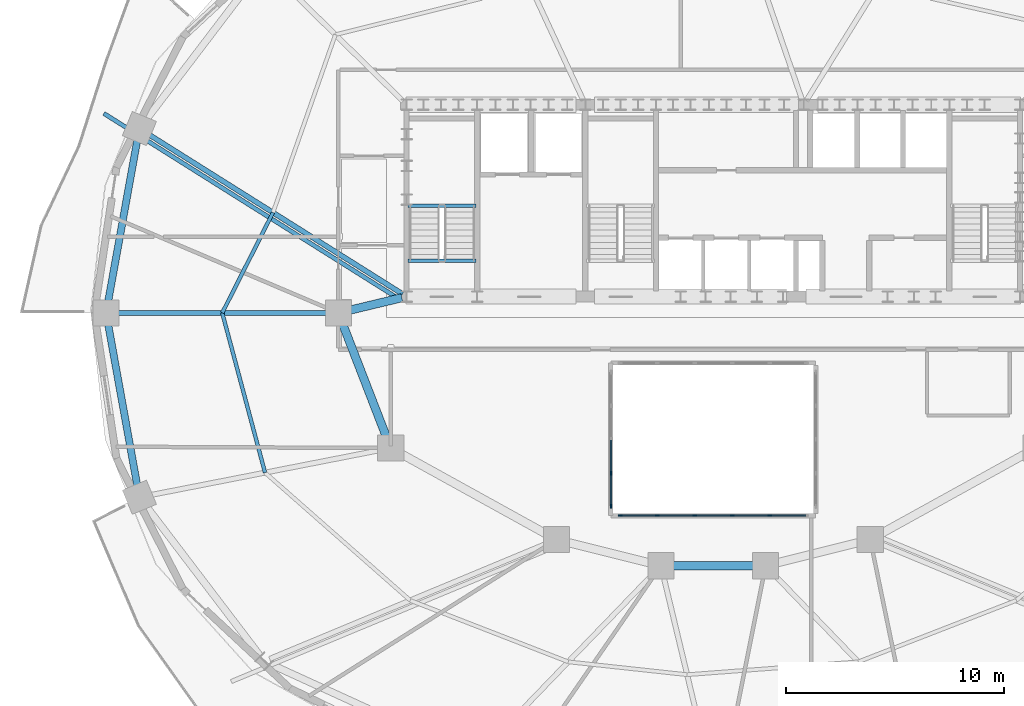
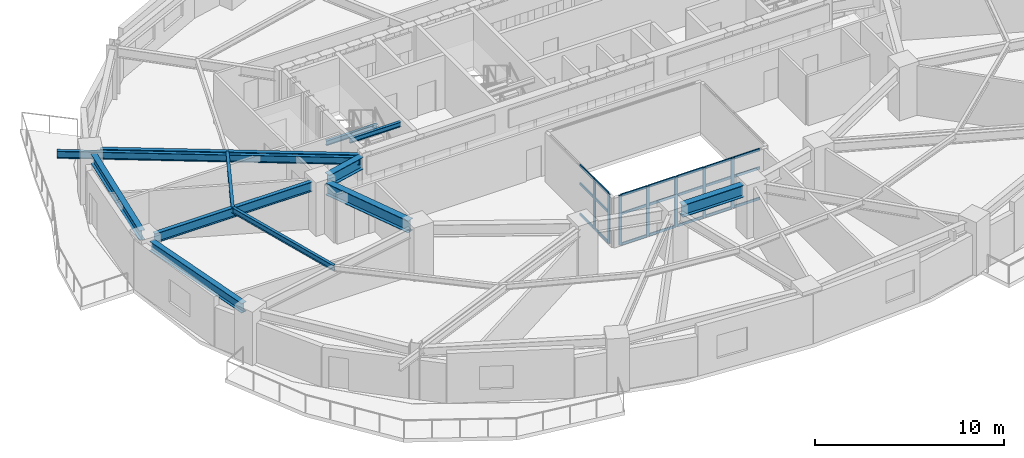
# One storey, part 2 of 12: 28 members, 12 beams, 2 elements without a shape of their own.
"""IFC4 building model written with IfcOpenShell, lengths in metres."""

import ifcopenshell
import ifcopenshell.guid

model = None  # the IFC model being written
_history = None  # IfcOwnerHistory: only IFC2X3 demands one
_inside = {}  # id of a spatial element -> (the spatial element, [elements in it])
_under = {}  # id of a project, library or spatial element -> (it, [spatial elements below it])
_declared = {}  # id of a project -> (the project, [libraries it declares])
_typed = {}  # id of a type object -> (the type object, [elements of that type])
_made_of = {}  # id of a material, layer set ... -> (it, [elements and type objects made of it])


def new_model(schema):
    """Start an empty IFC model of exactly this schema.

    Asked for "IFC4X3", IfcOpenShell would pick the latest addendum, in which some entities
    have other attributes; the version numbers below select the first issue.
    IFC2X3 requires an IfcOwnerHistory on every rooted entity: one is made here for all.
    """
    global model, _history
    if schema == "IFC4X3":
        model = ifcopenshell.file(schema_version=(4, 3, 0, 0))
    else:
        model = ifcopenshell.file(schema=schema)
    _inside.clear()
    _under.clear()
    _declared.clear()
    _typed.clear()
    _made_of.clear()
    _history = None
    if model.schema == "IFC2X3":
        org = make("IfcOrganization", Name="unknown")
        user = make(
            "IfcPersonAndOrganization",
            ThePerson=make("IfcPerson", FamilyName="unknown"),
            TheOrganization=org,
        )
        app = make(
            "IfcApplication",
            ApplicationDeveloper=org,
            Version="unknown",
            ApplicationFullName="unknown",
            ApplicationIdentifier="unknown",
        )
        _history = make(
            "IfcOwnerHistory",
            OwningUser=user,
            OwningApplication=app,
            ChangeAction="ADDED",
            CreationDate=0,
        )
    return model


def make(cls, **values):
    """One entity of the class cls with the attributes given. An attribute that is None is left unset."""
    return model.create_entity(
        cls, **{name: value for name, value in values.items() if value is not None}
    )


def rooted(cls, **values):
    """An entity with a GlobalId (a new one), such as an element, a storey or a relation."""
    return make(cls, GlobalId=ifcopenshell.guid.new(), OwnerHistory=_history, **values)


def si_unit(unit_type, name, prefix=None):
    """IfcSIUnit, for example si_unit("LENGTHUNIT", "METRE", prefix="MILLI")."""
    return make("IfcSIUnit", UnitType=unit_type, Prefix=prefix, Name=name)


def assignment(units):
    """IfcUnitAssignment: the units of a project."""
    return None if units is None else make("IfcUnitAssignment", Units=units)


def point(xyz):
    """IfcCartesianPoint."""
    return None if xyz is None else make("IfcCartesianPoint", Coordinates=xyz)


def direction(xyz):
    """IfcDirection."""
    return None if xyz is None else make("IfcDirection", DirectionRatios=xyz)


def frame(location, z_axis=None, x_axis=None):
    """IfcAxis2Placement3D, a coordinate frame: its origin and axes. An axis left out is left unset."""
    return make(
        "IfcAxis2Placement3D",
        Location=point(location),
        Axis=direction(z_axis),
        RefDirection=direction(x_axis),
    )


def frame_2d(location, x_axis=None):
    """IfcAxis2Placement2D, a coordinate frame in the plane: its origin and x axis."""
    return make(
        "IfcAxis2Placement2D", Location=point(location), RefDirection=direction(x_axis)
    )


def origin():
    """The frame at (0, 0, 0) with its axes left unset."""
    return frame((0.0, 0.0, 0.0))


def origin_2d():
    """The frame at (0, 0) in the plane with its x axis left unset."""
    return frame_2d((0.0, 0.0))


def place(relative_to, where):
    """IfcLocalPlacement: puts the frame where relative to a parent placement (None: the world)."""
    return make(
        "IfcLocalPlacement", PlacementRelTo=relative_to, RelativePlacement=where
    )


def context(
    kind, dimensions, precision=None, world=None, true_north=None, identifier=None
):
    """IfcGeometricRepresentationContext, for example the 3D "Model" context."""
    return make(
        "IfcGeometricRepresentationContext",
        ContextIdentifier=identifier,
        ContextType=kind,
        CoordinateSpaceDimension=dimensions,
        Precision=precision,
        WorldCoordinateSystem=world,
        TrueNorth=true_north,
    )


def subcontext(parent, identifier, kind, view, scale=None):
    """IfcGeometricRepresentationSubContext, for example "Body" below "Model"."""
    return make(
        "IfcGeometricRepresentationSubContext",
        ContextIdentifier=identifier,
        ContextType=kind,
        ParentContext=parent,
        TargetScale=scale,
        TargetView=view,
    )


def project(units=None, contexts=None):
    """IfcProject with its units and contexts."""
    return rooted(
        "IfcProject",
        Name="project",
        RepresentationContexts=contexts,
        UnitsInContext=assignment(units),
    )


def spatial(cls, under=None, at=None, **own):
    """A site, building, storey or space (cls), placed at a placement, below another one or the project."""
    s = rooted(cls, ObjectPlacement=at, **own)
    if under is not None:
        _under.setdefault(under.id(), (under, []))[1].append(s)
    return s


def profile(cls, at=None, kind="AREA", **sizes):
    """A parametric profile (cls). Its sizes go by their IFC names, for example OverallWidth=200.0."""
    return make(cls, ProfileType=kind, Position=at, **sizes)


def rectangle(**sizes):
    """IfcRectangleProfileDef."""
    return profile("IfcRectangleProfileDef", **sizes)


def i_section(**sizes):
    """IfcIShapeProfileDef."""
    return profile("IfcIShapeProfileDef", **sizes)


def extrude(swept, where, along, depth):
    """IfcExtrudedAreaSolid: the profile swept, set in the frame where, extruded along a direction by depth."""
    return make(
        "IfcExtrudedAreaSolid",
        SweptArea=swept,
        Position=where,
        ExtrudedDirection=direction(along),
        Depth=depth,
    )


def shape(context_of_items, identifier, shape_type, items):
    """IfcShapeRepresentation: the items that make up one representation, for example the "Body"."""
    return make(
        "IfcShapeRepresentation",
        ContextOfItems=context_of_items,
        RepresentationIdentifier=identifier,
        RepresentationType=shape_type,
        Items=items,
    )


def material(Name=None, Category=None):
    """IfcMaterial."""
    return make("IfcMaterial", Name=Name, Category=Category)


def material_profile(
    of_material, cross_section, Name=None, Category=None, Priority=None
):
    """IfcMaterialProfile: a cross section and its material."""
    return make(
        "IfcMaterialProfile",
        Name=Name,
        Material=of_material,
        Profile=cross_section,
        Priority=Priority,
        Category=Category,
    )


def profile_set(profiles, Name=None, composite=None):
    """IfcMaterialProfileSet."""
    return make(
        "IfcMaterialProfileSet",
        Name=Name,
        MaterialProfiles=profiles,
        CompositeProfile=composite,
    )


def made_of(thing, what):
    """Note that an element or type object is made of a material, layer set ...; save() writes the relation."""
    if what is not None:
        _made_of.setdefault(what.id(), (what, []))[1].append(thing)
    return thing


def type_object(cls, material=None, **own):
    """A type object (cls), such as IfcWallType, which elements share."""
    return made_of(rooted(cls, **own), material)


def element(
    cls,
    number,
    at=None,
    inside=None,
    cuts=None,
    type_object=None,
    material=None,
    context=None,
    identifier="Body",
    shape_type=None,
    held_by="IfcProductDefinitionShape",
    body=None,
    shapes=None,
    **own,
):
    """One element of the class cls, such as IfcWall. Its Tag is "e" and its number.

    at: its placement. inside: the storey or other place that contains it. cuts: it is an
    opening in that element (IfcRelVoidsElement). A single representation is given by context,
    identifier, shape_type and body (its items); several are given by shapes. held_by: the class
    of the entity that holds the representations. save() writes the other relations.
    """
    e = rooted(cls, Tag="e%d" % number, ObjectPlacement=at, **own)
    if body is not None:
        shapes = [shape(context, identifier, shape_type, body)]
    if shapes is not None:
        e.Representation = make(held_by, Representations=shapes)
    if inside is not None:
        _inside.setdefault(inside.id(), (inside, []))[1].append(e)
    if cuts is not None:
        rooted(
            "IfcRelVoidsElement", RelatingBuildingElement=cuts, RelatedOpeningElement=e
        )
    if type_object is not None:
        _typed.setdefault(type_object.id(), (type_object, []))[1].append(e)
    return made_of(e, material)


def aggregate(whole, parts):
    """IfcRelAggregates: a whole, such as a stair, and the parts it consists of."""
    return rooted("IfcRelAggregates", RelatingObject=whole, RelatedObjects=parts)


def save(model, path):
    """Write the relations noted so far, then the file.

    IfcRelAggregates (storeys below a building ...), IfcRelContainedInSpatialStructure (elements
    in a storey), IfcRelDefinesByType, IfcRelAssociatesMaterial and IfcRelDeclares: one each for
    every whole, place, type object, material and project.
    """
    for whole, parts in _under.values():
        aggregate(whole, parts)
    for where, things in _inside.values():
        rooted(
            "IfcRelContainedInSpatialStructure",
            RelatedElements=things,
            RelatingStructure=where,
        )
    for kind, things in _typed.values():
        rooted("IfcRelDefinesByType", RelatedObjects=things, RelatingType=kind)
    for what, things in _made_of.values():
        rooted("IfcRelAssociatesMaterial", RelatedObjects=things, RelatingMaterial=what)
    for by, libraries in _declared.values():
        rooted("IfcRelDeclares", RelatingContext=by, RelatedDefinitions=libraries)
    model.write(path)


model = new_model("IFC4")

# Units and contexts
model_context = context("Model", 3, precision=1e-05, world=origin(), true_north=direction((0.0, 1.0)))
body_context = subcontext(model_context, "Body", "Model", "MODEL_VIEW")
ifc_project = project(units=[si_unit("LENGTHUNIT", "METRE"), si_unit("AREAUNIT", "SQUARE_METRE"), si_unit("VOLUMEUNIT", "CUBIC_METRE"), si_unit("PLANEANGLEUNIT", "RADIAN"), si_unit("MASSUNIT", "GRAM", prefix="KILO")], contexts=[model_context])

# Site, building, storey
site_placement = place(None, origin())
site = spatial("IfcSite", under=ifc_project, at=site_placement, CompositionType="ELEMENT")
building_placement = place(site_placement, origin())
building = spatial("IfcBuilding", under=site, at=building_placement, Name="Haldorwick Loom Tower", CompositionType="ELEMENT")
storey_placement = place(building_placement, frame((0.0, 0.0, 117.35009765625)))
storey = spatial("IfcBuildingStorey", under=building, at=storey_placement, Name="L31", CompositionType="ELEMENT", Elevation=117.35009765625)

# Curtain wall, members
ifc_material_1 = material(Name="Thermally Broken Anodized Aluminium Curtain Wall Framing", Category="aluminium")
curtain_wall_type = type_object("IfcCurtainWallType", Name="ARC-CW-03", PredefinedType="NOTDEFINED", material=ifc_material_1)
curtain_wall_1_placement = place(storey_placement, origin())
curtain_wall_1 = element("IfcCurtainWall", 1, at=curtain_wall_1_placement, inside=storey, type_object=curtain_wall_type, Name="L31 Atrium Glazed Screen S", PredefinedType="NOTDEFINED")
ifc_material_profile_1 = material_profile(ifc_material_1, rectangle(XDim=0.06591796875, YDim=0.18505859375, at=origin_2d()), Name="ALU_MUL_66X185", Category="aluminium")
ifc_profile_set_1 = profile_set([ifc_material_profile_1], Name="Thermally Broken Anodized Aluminium Curtain Wall Framing")
member_type_1 = type_object("IfcMemberType", Name="ARC-CWM-03", PredefinedType="MULLION", material=ifc_profile_set_1)
member_1_placement = place(storey_placement, frame((38.580078125, 16.699951171875, 0.0), z_axis=(0.0, 0.0, 1.0), x_axis=(0.0, -1.0, 0.0)))
member_1 = element("IfcMember", 2, at=member_1_placement, type_object=member_type_1, Name="CW-03 mullion 2", PredefinedType="MULLION", context=body_context, shape_type="SweptSolid", body=[
    extrude(rectangle(XDim=0.06591796875, YDim=0.18505859375, at=origin_2d()), origin(), (0.0, 0.0, 1.0), 3.2099609375),
])
member_2_placement = place(storey_placement, frame((36.860107421875, 16.699951171875, 0.0), z_axis=(0.0, 0.0, 1.0), x_axis=(0.0, -1.0, 0.0)))
member_2 = element("IfcMember", 3, at=member_2_placement, type_object=member_type_1, Name="CW-03 mullion 3", PredefinedType="MULLION", context=body_context, shape_type="SweptSolid", body=[
    extrude(rectangle(XDim=0.06591796875, YDim=0.18505859375, at=origin_2d()), origin(), (0.0, 0.0, 1.0), 3.2099609375),
])
member_3_placement = place(storey_placement, frame((35.139892578125, 16.699951171875, 0.0), z_axis=(0.0, 0.0, 1.0), x_axis=(0.0, -1.0, 0.0)))
member_3 = element("IfcMember", 4, at=member_3_placement, type_object=member_type_1, Name="CW-03 mullion 4", PredefinedType="MULLION", context=body_context, shape_type="SweptSolid", body=[
    extrude(rectangle(XDim=0.06591796875, YDim=0.18505859375, at=origin_2d()), origin(), (0.0, 0.0, 1.0), 3.2099609375),
])
member_4_placement = place(storey_placement, frame((33.419921875, 16.699951171875, 0.0), z_axis=(0.0, 0.0, 1.0), x_axis=(0.0, -1.0, 0.0)))
member_4 = element("IfcMember", 5, at=member_4_placement, type_object=member_type_1, Name="CW-03 mullion 5", PredefinedType="MULLION", context=body_context, shape_type="SweptSolid", body=[
    extrude(rectangle(XDim=0.06591796875, YDim=0.18505859375, at=origin_2d()), origin(), (0.0, 0.0, 1.0), 3.2099609375),
])
member_5_placement = place(storey_placement, frame((31.73291015625, 16.699951171875, 0.0), z_axis=(0.0, 0.0, 1.0), x_axis=(0.0, -1.0, 0.0)))
member_5 = element("IfcMember", 6, at=member_5_placement, type_object=member_type_1, Name="CW-03 mullion 6", PredefinedType="MULLION", context=body_context, shape_type="SweptSolid", body=[
    extrude(rectangle(XDim=0.06591796875, YDim=0.18505859375, at=origin_2d()), origin(), (0.0, 0.0, 1.0), 3.2099609375),
])

curtain_wall_2_placement = place(storey_placement, origin())
curtain_wall_2 = element("IfcCurtainWall", 7, at=curtain_wall_2_placement, inside=storey, type_object=curtain_wall_type, Name="L31 Atrium Glazed Screen W", PredefinedType="NOTDEFINED")
member_6_placement = place(storey_placement, frame((31.300048828125, 17.133056640625, 0.0), z_axis=(0.0, 0.0, 1.0), x_axis=(-1.0, 0.0, 0.0)))
member_6 = element("IfcMember", 8, at=member_6_placement, type_object=member_type_1, Name="CW-03 mullion 1", PredefinedType="MULLION", context=body_context, shape_type="SweptSolid", body=[
    extrude(rectangle(XDim=0.06591796875, YDim=0.18505859375, at=origin_2d()), origin(), (0.0, 0.0, 1.0), 3.2099609375),
])
member_7_placement = place(storey_placement, frame((31.300048828125, 18.64990234375, 0.0), z_axis=(0.0, 0.0, 1.0), x_axis=(-1.0, 0.0, 0.0)))
member_7 = element("IfcMember", 9, at=member_7_placement, type_object=member_type_1, Name="CW-03 mullion 2", PredefinedType="MULLION", context=body_context, shape_type="SweptSolid", body=[
    extrude(rectangle(XDim=0.06591796875, YDim=0.18505859375, at=origin_2d()), origin(), (0.0, 0.0, 1.0), 3.2099609375),
])

# Member
ifc_material_profile_2 = material_profile(ifc_material_1, rectangle(XDim=0.06591796875, YDim=0.1650390625, at=origin_2d()), Name="ALU_TRN_66X165", Category="aluminium")
ifc_profile_set_2 = profile_set([ifc_material_profile_2], Name="Thermally Broken Anodized Aluminium Curtain Wall Framing")
member_type_2 = type_object("IfcMemberType", Name="ARC-CWT-03", PredefinedType="USERDEFINED", material=ifc_profile_set_2)
member_8_placement = place(storey_placement, frame((40.23388671875, 16.699951171875, 0.032958984375), z_axis=(-1.0, 0.0, 0.0), x_axis=(0.0, -1.0, 0.0)))
member_8 = element("IfcMember", 10, at=member_8_placement, type_object=member_type_2, Name="CW-03 transom 1.1", ObjectType="TRANSOM", PredefinedType="USERDEFINED", context=body_context, shape_type="SweptSolid", body=[
    extrude(rectangle(XDim=0.06591796875, YDim=0.1650390625, at=origin_2d()), origin(), (0.0, 0.0, 1.0), 1.620849609375),
])

member_9_placement = place(storey_placement, frame((40.23388671875, 16.699951171875, 2.0), z_axis=(-1.0, 0.0, 0.0), x_axis=(0.0, -1.0, 0.0)))
member_9 = element("IfcMember", 11, at=member_9_placement, type_object=member_type_2, Name="CW-03 transom 1.2", ObjectType="TRANSOM", PredefinedType="USERDEFINED", context=body_context, shape_type="SweptSolid", body=[
    extrude(rectangle(XDim=0.06591796875, YDim=0.1650390625, at=origin_2d()), origin(), (0.0, 0.0, 1.0), 1.620849609375),
])

member_10_placement = place(storey_placement, frame((40.23388671875, 16.699951171875, 3.177001953125), z_axis=(-1.0, 0.0, 0.0), x_axis=(0.0, -1.0, 0.0)))
member_10 = element("IfcMember", 12, at=member_10_placement, type_object=member_type_2, Name="CW-03 transom 1.3", ObjectType="TRANSOM", PredefinedType="USERDEFINED", context=body_context, shape_type="SweptSolid", body=[
    extrude(rectangle(XDim=0.06591796875, YDim=0.1650390625, at=origin_2d()), origin(), (0.0, 0.0, 1.0), 1.620849609375),
])

member_11_placement = place(storey_placement, frame((38.547119140625, 16.699951171875, 0.032958984375), z_axis=(-1.0, 0.0, 0.0), x_axis=(0.0, -1.0, 0.0)))
member_11 = element("IfcMember", 13, at=member_11_placement, type_object=member_type_2, Name="CW-03 transom 2.1", ObjectType="TRANSOM", PredefinedType="USERDEFINED", context=body_context, shape_type="SweptSolid", body=[
    extrude(rectangle(XDim=0.06591796875, YDim=0.1650390625, at=origin_2d()), origin(), (0.0, 0.0, 1.0), 1.654052734375),
])

member_12_placement = place(storey_placement, frame((38.547119140625, 16.699951171875, 2.0), z_axis=(-1.0, 0.0, 0.0), x_axis=(0.0, -1.0, 0.0)))
member_12 = element("IfcMember", 14, at=member_12_placement, type_object=member_type_2, Name="CW-03 transom 2.2", ObjectType="TRANSOM", PredefinedType="USERDEFINED", context=body_context, shape_type="SweptSolid", body=[
    extrude(rectangle(XDim=0.06591796875, YDim=0.1650390625, at=origin_2d()), origin(), (0.0, 0.0, 1.0), 1.654052734375),
])

member_13_placement = place(storey_placement, frame((38.547119140625, 16.699951171875, 3.177001953125), z_axis=(-1.0, 0.0, 0.0), x_axis=(0.0, -1.0, 0.0)))
member_13 = element("IfcMember", 15, at=member_13_placement, type_object=member_type_2, Name="CW-03 transom 2.3", ObjectType="TRANSOM", PredefinedType="USERDEFINED", context=body_context, shape_type="SweptSolid", body=[
    extrude(rectangle(XDim=0.06591796875, YDim=0.1650390625, at=origin_2d()), origin(), (0.0, 0.0, 1.0), 1.654052734375),
])

member_14_placement = place(storey_placement, frame((36.826904296875, 16.699951171875, 0.032958984375), z_axis=(-1.0, 0.0, 0.0), x_axis=(0.0, -1.0, 0.0)))
member_14 = element("IfcMember", 16, at=member_14_placement, type_object=member_type_2, Name="CW-03 transom 3.1", ObjectType="TRANSOM", PredefinedType="USERDEFINED", context=body_context, shape_type="SweptSolid", body=[
    extrude(rectangle(XDim=0.06591796875, YDim=0.1650390625, at=origin_2d()), origin(), (0.0, 0.0, 1.0), 1.65380859375),
])

member_15_placement = place(storey_placement, frame((36.826904296875, 16.699951171875, 2.0), z_axis=(-1.0, 0.0, 0.0), x_axis=(0.0, -1.0, 0.0)))
member_15 = element("IfcMember", 17, at=member_15_placement, type_object=member_type_2, Name="CW-03 transom 3.2", ObjectType="TRANSOM", PredefinedType="USERDEFINED", context=body_context, shape_type="SweptSolid", body=[
    extrude(rectangle(XDim=0.06591796875, YDim=0.1650390625, at=origin_2d()), origin(), (0.0, 0.0, 1.0), 1.65380859375),
])

member_16_placement = place(storey_placement, frame((36.826904296875, 16.699951171875, 3.177001953125), z_axis=(-1.0, 0.0, 0.0), x_axis=(0.0, -1.0, 0.0)))
member_16 = element("IfcMember", 18, at=member_16_placement, type_object=member_type_2, Name="CW-03 transom 3.3", ObjectType="TRANSOM", PredefinedType="USERDEFINED", context=body_context, shape_type="SweptSolid", body=[
    extrude(rectangle(XDim=0.06591796875, YDim=0.1650390625, at=origin_2d()), origin(), (0.0, 0.0, 1.0), 1.65380859375),
])

member_17_placement = place(storey_placement, frame((35.10693359375, 16.699951171875, 0.032958984375), z_axis=(-1.0, 0.0, 0.0), x_axis=(0.0, -1.0, 0.0)))
member_17 = element("IfcMember", 19, at=member_17_placement, type_object=member_type_2, Name="CW-03 transom 4.1", ObjectType="TRANSOM", PredefinedType="USERDEFINED", context=body_context, shape_type="SweptSolid", body=[
    extrude(rectangle(XDim=0.06591796875, YDim=0.1650390625, at=origin_2d()), origin(), (0.0, 0.0, 1.0), 1.654052734375),
])

member_18_placement = place(storey_placement, frame((35.10693359375, 16.699951171875, 2.0), z_axis=(-1.0, 0.0, 0.0), x_axis=(0.0, -1.0, 0.0)))
member_18 = element("IfcMember", 20, at=member_18_placement, type_object=member_type_2, Name="CW-03 transom 4.2", ObjectType="TRANSOM", PredefinedType="USERDEFINED", context=body_context, shape_type="SweptSolid", body=[
    extrude(rectangle(XDim=0.06591796875, YDim=0.1650390625, at=origin_2d()), origin(), (0.0, 0.0, 1.0), 1.654052734375),
])

member_19_placement = place(storey_placement, frame((35.10693359375, 16.699951171875, 3.177001953125), z_axis=(-1.0, 0.0, 0.0), x_axis=(0.0, -1.0, 0.0)))
member_19 = element("IfcMember", 21, at=member_19_placement, type_object=member_type_2, Name="CW-03 transom 4.3", ObjectType="TRANSOM", PredefinedType="USERDEFINED", context=body_context, shape_type="SweptSolid", body=[
    extrude(rectangle(XDim=0.06591796875, YDim=0.1650390625, at=origin_2d()), origin(), (0.0, 0.0, 1.0), 1.654052734375),
])

member_20_placement = place(storey_placement, frame((33.386962890625, 16.699951171875, 0.032958984375), z_axis=(-1.0, 0.0, 0.0), x_axis=(0.0, -1.0, 0.0)))
member_20 = element("IfcMember", 22, at=member_20_placement, type_object=member_type_2, Name="CW-03 transom 5.1", ObjectType="TRANSOM", PredefinedType="USERDEFINED", context=body_context, shape_type="SweptSolid", body=[
    extrude(rectangle(XDim=0.06591796875, YDim=0.1650390625, at=origin_2d()), origin(), (0.0, 0.0, 1.0), 1.620849609375),
])

member_21_placement = place(storey_placement, frame((33.386962890625, 16.699951171875, 2.0), z_axis=(-1.0, 0.0, 0.0), x_axis=(0.0, -1.0, 0.0)))
member_21 = element("IfcMember", 23, at=member_21_placement, type_object=member_type_2, Name="CW-03 transom 5.2", ObjectType="TRANSOM", PredefinedType="USERDEFINED", context=body_context, shape_type="SweptSolid", body=[
    extrude(rectangle(XDim=0.06591796875, YDim=0.1650390625, at=origin_2d()), origin(), (0.0, 0.0, 1.0), 1.620849609375),
])

member_22_placement = place(storey_placement, frame((33.386962890625, 16.699951171875, 3.177001953125), z_axis=(-1.0, 0.0, 0.0), x_axis=(0.0, -1.0, 0.0)))
member_22 = element("IfcMember", 24, at=member_22_placement, type_object=member_type_2, Name="CW-03 transom 5.3", ObjectType="TRANSOM", PredefinedType="USERDEFINED", context=body_context, shape_type="SweptSolid", body=[
    extrude(rectangle(XDim=0.06591796875, YDim=0.1650390625, at=origin_2d()), origin(), (0.0, 0.0, 1.0), 1.620849609375),
])

aggregate(curtain_wall_1, [member_1, member_2, member_3, member_4, member_5, member_8, member_9, member_10, member_11, member_12, member_13, member_14, member_15, member_16, member_17, member_18, member_19, member_20, member_21, member_22])

member_23_placement = place(storey_placement, frame((31.300048828125, 17.166015625, 0.032958984375), z_axis=(0.0, 1.0, 0.0), x_axis=(-1.0, 0.0, 0.0)))
member_23 = element("IfcMember", 25, at=member_23_placement, type_object=member_type_2, Name="CW-03 transom 1.1", ObjectType="TRANSOM", PredefinedType="USERDEFINED", context=body_context, shape_type="SweptSolid", body=[
    extrude(rectangle(XDim=0.06591796875, YDim=0.1650390625, at=origin_2d()), origin(), (0.0, 0.0, 1.0), 1.450927734375),
])

member_24_placement = place(storey_placement, frame((31.300048828125, 17.166015625, 2.0), z_axis=(0.0, 1.0, 0.0), x_axis=(-1.0, 0.0, 0.0)))
member_24 = element("IfcMember", 26, at=member_24_placement, type_object=member_type_2, Name="CW-03 transom 1.2", ObjectType="TRANSOM", PredefinedType="USERDEFINED", context=body_context, shape_type="SweptSolid", body=[
    extrude(rectangle(XDim=0.06591796875, YDim=0.1650390625, at=origin_2d()), origin(), (0.0, 0.0, 1.0), 1.450927734375),
])

member_25_placement = place(storey_placement, frame((31.300048828125, 17.166015625, 3.177001953125), z_axis=(0.0, 1.0, 0.0), x_axis=(-1.0, 0.0, 0.0)))
member_25 = element("IfcMember", 27, at=member_25_placement, type_object=member_type_2, Name="CW-03 transom 1.3", ObjectType="TRANSOM", PredefinedType="USERDEFINED", context=body_context, shape_type="SweptSolid", body=[
    extrude(rectangle(XDim=0.06591796875, YDim=0.1650390625, at=origin_2d()), origin(), (0.0, 0.0, 1.0), 1.450927734375),
])

member_26_placement = place(storey_placement, frame((31.300048828125, 18.68310546875, 0.032958984375), z_axis=(0.0, 1.0, 0.0), x_axis=(-1.0, 0.0, 0.0)))
member_26 = element("IfcMember", 28, at=member_26_placement, type_object=member_type_2, Name="CW-03 transom 2.1", ObjectType="TRANSOM", PredefinedType="USERDEFINED", context=body_context, shape_type="SweptSolid", body=[
    extrude(rectangle(XDim=0.06591796875, YDim=0.1650390625, at=origin_2d()), origin(), (0.0, 0.0, 1.0), 1.48388671875),
])

member_27_placement = place(storey_placement, frame((31.300048828125, 18.68310546875, 2.0), z_axis=(0.0, 1.0, 0.0), x_axis=(-1.0, 0.0, 0.0)))
member_27 = element("IfcMember", 29, at=member_27_placement, type_object=member_type_2, Name="CW-03 transom 2.2", ObjectType="TRANSOM", PredefinedType="USERDEFINED", context=body_context, shape_type="SweptSolid", body=[
    extrude(rectangle(XDim=0.06591796875, YDim=0.1650390625, at=origin_2d()), origin(), (0.0, 0.0, 1.0), 1.48388671875),
])

member_28_placement = place(storey_placement, frame((31.300048828125, 18.68310546875, 3.177001953125), z_axis=(0.0, 1.0, 0.0), x_axis=(-1.0, 0.0, 0.0)))
member_28 = element("IfcMember", 30, at=member_28_placement, type_object=member_type_2, Name="CW-03 transom 2.3", ObjectType="TRANSOM", PredefinedType="USERDEFINED", context=body_context, shape_type="SweptSolid", body=[
    extrude(rectangle(XDim=0.06591796875, YDim=0.1650390625, at=origin_2d()), origin(), (0.0, 0.0, 1.0), 1.48388671875),
])

aggregate(curtain_wall_2, [member_6, member_7, member_23, member_24, member_25, member_26, member_27, member_28])

# Beams
ifc_material_2 = material(Name="Steel CSA G40.21 350W", Category="steel")
ifc_material_profile_3 = material_profile(ifc_material_2, i_section(OverallWidth=0.193115234375, OverallDepth=0.466064453125, WebThickness=0.011474609375, FlangeThickness=0.01904296875, at=origin_2d()), Name="W460X97", Category="steel")
ifc_profile_set_3 = profile_set([ifc_material_profile_3], Name="Steel CSA G40.21 350W")
beam_type_1 = type_object("IfcBeamType", Name="STR-BM-BAL460", PredefinedType="BEAM", material=ifc_profile_set_3)
beam_1_placement = place(storey_placement, frame((21.590576171875, 26.6328125, 2.976806640625), z_axis=(-0.846621037802, 0.532196221662, 0.0), x_axis=(-0.532196221662, -0.846621037802, 0.0)))
element("IfcBeam", 31, at=beam_1_placement, inside=storey, type_object=beam_type_1, Name="L31 Continuous Back-Spanned Balcony Beam 3", PredefinedType="BEAM", context=body_context, shape_type="SweptSolid", body=[
    extrude(i_section(OverallWidth=0.193115234375, OverallDepth=0.466064453125, WebThickness=0.011474609375, FlangeThickness=0.01904296875, at=origin_2d()), origin(), (0.0, 0.0, 1.0), 16.0068359375),
])
ifc_material_profile_4 = material_profile(ifc_material_2, i_section(OverallWidth=0.172119140625, OverallDepth=0.35791015625, WebThickness=0.0078125, FlangeThickness=0.01318359375, at=origin_2d()), Name="W360X57", Category="steel")
ifc_profile_set_4 = profile_set([ifc_material_profile_4], Name="Steel CSA G40.21 350W")
beam_type_2 = type_object("IfcBeamType", Name="STR-BM-J360", PredefinedType="JOIST", material=ifc_profile_set_4)
beam_2_placement = place(storey_placement, frame((15.7998046875, 30.603515625, 3.031005859375), z_axis=(-0.451373231558, -0.892335254169, 0.0), x_axis=(0.892335254169, -0.451373231558, 0.0)))
element("IfcBeam", 32, at=beam_2_placement, inside=storey, type_object=beam_type_2, Name="L31 Mid-Bay Secondary Joist 8", PredefinedType="JOIST", context=body_context, shape_type="SweptSolid", body=[
    extrude(i_section(OverallWidth=0.172119140625, OverallDepth=0.35791015625, WebThickness=0.0078125, FlangeThickness=0.01318359375, at=origin_2d()), origin(), (0.0, 0.0, 1.0), 5.158935546875),
])
beam_3_placement = place(storey_placement, frame((13.47119140625, 26.0, 3.031005859375), z_axis=(0.258810072536, -0.965928230436, 0.0), x_axis=(0.965928230436, 0.258810072536, 0.0)))
element("IfcBeam", 33, at=beam_3_placement, inside=storey, type_object=beam_type_2, Name="L31 Mid-Bay Secondary Joist 9", PredefinedType="JOIST", context=body_context, shape_type="SweptSolid", body=[
    extrude(i_section(OverallWidth=0.172119140625, OverallDepth=0.35791015625, WebThickness=0.0078125, FlangeThickness=0.01318359375, at=origin_2d()), origin(), (0.0, 0.0, 1.0), 7.587158203125),
])
ifc_material_profile_5 = material_profile(ifc_material_2, i_section(OverallWidth=0.324951171875, OverallDepth=0.615966796875, WebThickness=0.013916015625, FlangeThickness=0.021484375, at=origin_2d()), Name="W610X174", Category="steel")
ifc_profile_set_5 = profile_set([ifc_material_profile_5], Name="Steel CSA G40.21 350W")
beam_type_3 = type_object("IfcBeamType", Name="STR-BM-SP610", PredefinedType="SPANDREL", material=ifc_profile_set_5)
for number, where, z_axis, x_axis, name in (
    (34, (9.576904296875, 33.945556640625, 2.90185546875), (-0.177659490888, -0.984092020747, 0.0), (0.984092020747, -0.177659490888, 0.0), "L31 Perimeter Spandrel 8"),
    (35, (8.23486328125, 25.48828125, 2.90185546875), (0.177659490888, -0.984092020747, 0.0), (0.984092020747, 0.177659490888, 0.0), "L31 Perimeter Spandrel 9"),
):
    element("IfcBeam", number, at=place(storey_placement, frame(where, z_axis=z_axis, x_axis=x_axis)), inside=storey, type_object=beam_type_3, Name=name, PredefinedType="SPANDREL", context=body_context, shape_type="SweptSolid", body=[
        extrude(i_section(OverallWidth=0.324951171875, OverallDepth=0.615966796875, WebThickness=0.013916015625, FlangeThickness=0.021484375, at=origin_2d()), origin(), (0.0, 0.0, 1.0), 7.553955078125),
    ])
ifc_material_profile_6 = material_profile(ifc_material_2, i_section(OverallWidth=0.166015625, OverallDepth=0.31298828125, WebThickness=0.006591796875, FlangeThickness=0.01123046875, at=origin_2d()), Name="W310X45", Category="steel")
ifc_profile_set_6 = profile_set([ifc_material_profile_6], Name="Steel CSA G40.21 350W")
beam_type_4 = type_object("IfcBeamType", Name="STR-BM-STRM", PredefinedType="BEAM", material=ifc_profile_set_6)
for number, where, z_axis, x_axis, name in (
    (36, (21.989990234375, 28.39990234375, 3.053466796875), (1.0, 0.0, 0.0), (0.0, 1.0, 0.0), "L31 Stair ST-01 Landing Edge Trimmer"),
    (37, (21.989990234375, 30.919921875, 1.368408203125), (1.0, 0.0, 0.0), (0.0, 1.0, 0.0), "L31 Stair ST-01 Half-Landing Trimmer 1"),
):
    element("IfcBeam", number, at=place(storey_placement, frame(where, z_axis=z_axis, x_axis=x_axis)), inside=storey, type_object=beam_type_4, Name=name, PredefinedType="BEAM", context=body_context, shape_type="SweptSolid", body=[
        extrude(i_section(OverallWidth=0.166015625, OverallDepth=0.31298828125, WebThickness=0.006591796875, FlangeThickness=0.01123046875, at=origin_2d()), origin(), (0.0, 0.0, 1.0), 3.1201171875),
    ])
ifc_material_profile_7 = material_profile(ifc_material_2, i_section(OverallWidth=0.22998046875, OverallDepth=0.616943359375, WebThickness=0.01318359375, FlangeThickness=0.022216796875, at=origin_2d()), Name="W610X140", Category="steel")
ifc_profile_set_7 = profile_set([ifc_material_profile_7], Name="Steel CSA G40.21 350W")
beam_type_5 = type_object("IfcBeamType", Name="STR-BM-W610B", PredefinedType="BEAM", material=ifc_profile_set_7)
beam_4_placement = place(storey_placement, frame((21.739501953125, 26.86962890625, 2.9013671875), z_axis=(-0.846609551433, 0.532214493811, 0.0), x_axis=(-0.532214493811, -0.846609551433, 0.0)))
element("IfcBeam", 38, at=beam_4_placement, inside=storey, type_object=beam_type_5, Name="L31 Radial Floor Girder 8", PredefinedType="BEAM", context=body_context, shape_type="SweptSolid", body=[
    extrude(i_section(OverallWidth=0.22998046875, OverallDepth=0.616943359375, WebThickness=0.01318359375, FlangeThickness=0.022216796875, at=origin_2d()), origin(), (0.0, 0.0, 1.0), 13.737060546875),
])
beam_5_placement = place(storey_placement, frame((18.280029296875, 26.0, 2.9013671875), z_axis=(-1.0, 0.0, 0.0), x_axis=(0.0, -1.0, 0.0)))
element("IfcBeam", 39, at=beam_5_placement, inside=storey, type_object=beam_type_5, Name="L31 Radial Floor Girder 9", PredefinedType="BEAM", context=body_context, shape_type="SweptSolid", body=[
    extrude(i_section(OverallWidth=0.22998046875, OverallDepth=0.616943359375, WebThickness=0.01318359375, FlangeThickness=0.022216796875, at=origin_2d()), origin(), (0.0, 0.0, 1.0), 9.61767578125),
])
ifc_material_profile_8 = material_profile(ifc_material_2, i_section(OverallWidth=0.381103515625, OverallDepth=0.77294921875, WebThickness=0.0166015625, FlangeThickness=0.027587890625, at=origin_2d()), Name="W760X257", Category="steel")
ifc_profile_set_8 = profile_set([ifc_material_profile_8], Name="Steel CSA G40.21 350W")
beam_type_6 = type_object("IfcBeamType", Name="STR-BM-W760", PredefinedType="BEAM", material=ifc_profile_set_8)
beam_6_placement = place(storey_placement, frame((37.8798828125, 14.39990234375, 2.823486328125), z_axis=(-1.0, 0.0, 0.0), x_axis=(0.0, -1.0, 0.0)))
element("IfcBeam", 40, at=beam_6_placement, inside=storey, type_object=beam_type_6, Name="L31 Inner Ring Girder 5", PredefinedType="BEAM", context=body_context, shape_type="SweptSolid", body=[
    extrude(i_section(OverallWidth=0.381103515625, OverallDepth=0.77294921875, WebThickness=0.0166015625, FlangeThickness=0.027587890625, at=origin_2d()), origin(), (0.0, 0.0, 1.0), 3.759765625),
])
beam_7_placement = place(storey_placement, frame((21.01220703125, 20.284912109375, 2.823486328125), z_axis=(-0.360964792353, 0.93257944363, 0.0), x_axis=(-0.93257944363, -0.360964792353, 0.0)))
element("IfcBeam", 41, at=beam_7_placement, inside=storey, type_object=beam_type_6, Name="L31 Inner Ring Girder 8", PredefinedType="BEAM", context=body_context, shape_type="SweptSolid", body=[
    extrude(i_section(OverallWidth=0.381103515625, OverallDepth=0.77294921875, WebThickness=0.0166015625, FlangeThickness=0.027587890625, at=origin_2d()), origin(), (0.0, 0.0, 1.0), 5.6083984375),
])
beam_8_placement = place(storey_placement, frame((19.3056640625, 26.12109375, 2.823486328125), z_axis=(0.97247055837, 0.233025777764, 0.0), x_axis=(-0.233025777764, 0.97247055837, 0.0)))
element("IfcBeam", 42, at=beam_8_placement, inside=storey, type_object=beam_type_6, Name="L31 Inner Ring Girder 9", PredefinedType="BEAM", context=body_context, shape_type="SweptSolid", body=[
    extrude(i_section(OverallWidth=0.381103515625, OverallDepth=0.77294921875, WebThickness=0.0166015625, FlangeThickness=0.027587890625, at=origin_2d()), origin(), (0.0, 0.0, 1.0), 2.4736328125),
])

save(model, "model.ifc")
